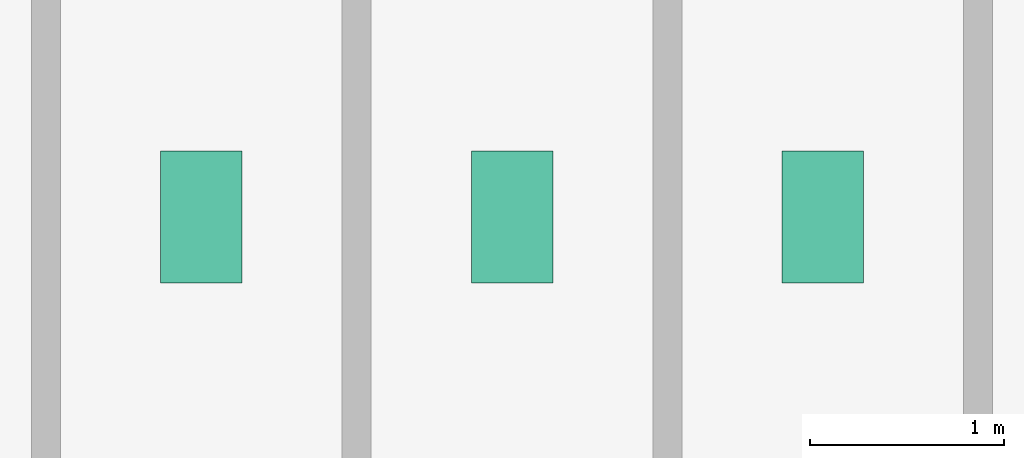
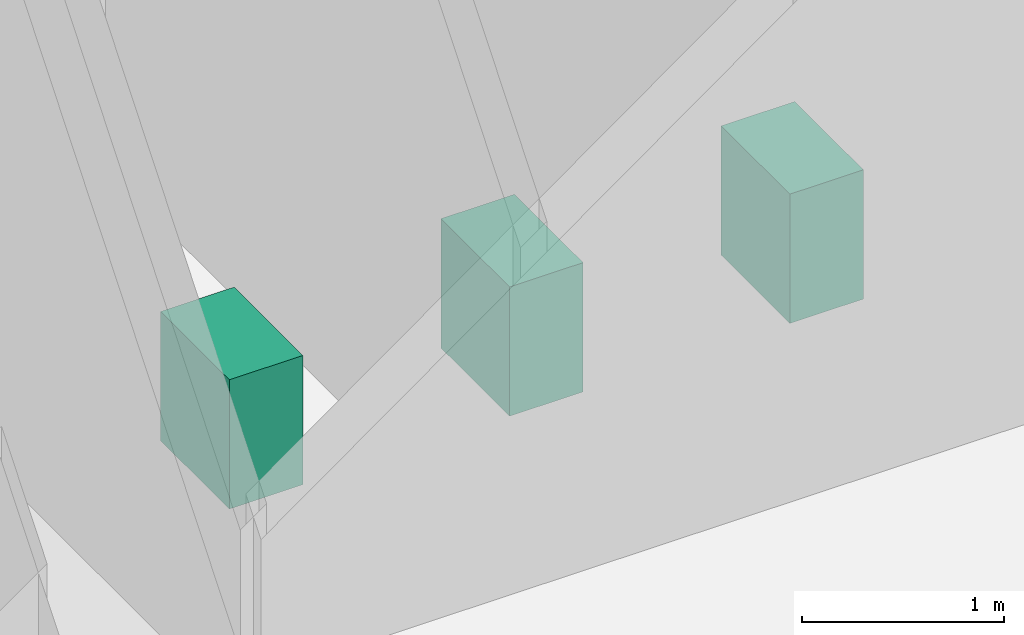
# One storey, part 19 of 19: 3 sanitary terminals.
"""IFC4 building model written with IfcOpenShell, lengths in metres."""

from ifc_helpers import new_model, si_unit, derived_unit, direction, frame, origin, origin_2d, place, context, subcontext, project, spatial, rectangle, extrude, source, transform, mapped, material, type_object, element, save


model = new_model("IFC4")

# Units and contexts
model_context = context("Model", 3, precision=1e-05, world=origin(), true_north=direction((0.0, 1.0)))
body_context = subcontext(model_context, "Body", "Model", "MODEL_VIEW")
ifc_project = project(units=[si_unit("LENGTHUNIT", "METRE"), si_unit("AREAUNIT", "SQUARE_METRE"), si_unit("VOLUMEUNIT", "CUBIC_METRE"), si_unit("PLANEANGLEUNIT", "RADIAN"), si_unit("MASSUNIT", "GRAM", prefix="KILO"), derived_unit("THERMALTRANSMITTANCEUNIT", [(si_unit("POWERUNIT", "WATT"), 1), (si_unit("LENGTHUNIT", "METRE"), -2), (si_unit("THERMODYNAMICTEMPERATUREUNIT", "KELVIN"), -1)])], contexts=[model_context])

# Site, building, storey
site_placement = place(None, origin())
site = spatial("IfcSite", under=ifc_project, at=site_placement, CompositionType="ELEMENT")
building_placement = place(site_placement, origin())
building = spatial("IfcBuilding", under=site, at=building_placement, Name="Skarnbrae Concourse Arena and Tower", CompositionType="ELEMENT")
storey_placement = place(building_placement, frame((0.0, 0.0, 180.75)))
storey = spatial("IfcBuildingStorey", under=building, at=storey_placement, Name="L46", CompositionType="ELEMENT", Elevation=180.75)

# Sanitary terminals
ifc_material = material(Name="Vitreous china sanitaryware", Category="other")
sanitary_terminal_type = type_object("IfcSanitaryTerminalType", Name="SAN-WC-VITREOUS", PredefinedType="TOILETPAN", material=ifc_material)
shared_shape = source(origin(), body_context, "Body", "SweptSolid", [
    extrude(rectangle(XDim=0.419921875, YDim=0.679931640625, at=origin_2d()), origin(), (0.0, 0.0, 1.0), 0.780029296875),
])
for number, where, z_axis, x_axis, name in (
    (1, (35.0, 11.39990234375, 0.0), (0.0, 0.0, 1.0), (1.0, 0.0, 0.0), "L46 Washroom WC fixture 1"),
    (2, (36.60009765625, 11.39990234375, 0.0), (0.0, 0.0, 1.0), (1.0, 0.0, 0.0), "L46 Washroom WC fixture 2"),
    (3, (38.199951171875, 11.39990234375, 0.0), (0.0, 0.0, 1.0), (1.0, 0.0, 0.0), "L46 Washroom WC fixture 3"),
):
    element("IfcSanitaryTerminal", number, at=place(storey_placement, frame(where, z_axis=z_axis, x_axis=x_axis)), inside=storey, type_object=sanitary_terminal_type, Name=name, PredefinedType="TOILETPAN", context=body_context, shape_type="MappedRepresentation", body=[
        mapped(shared_shape, transform((0.0, 0.0, 0.0))),
    ])

save(model, "model.ifc")
